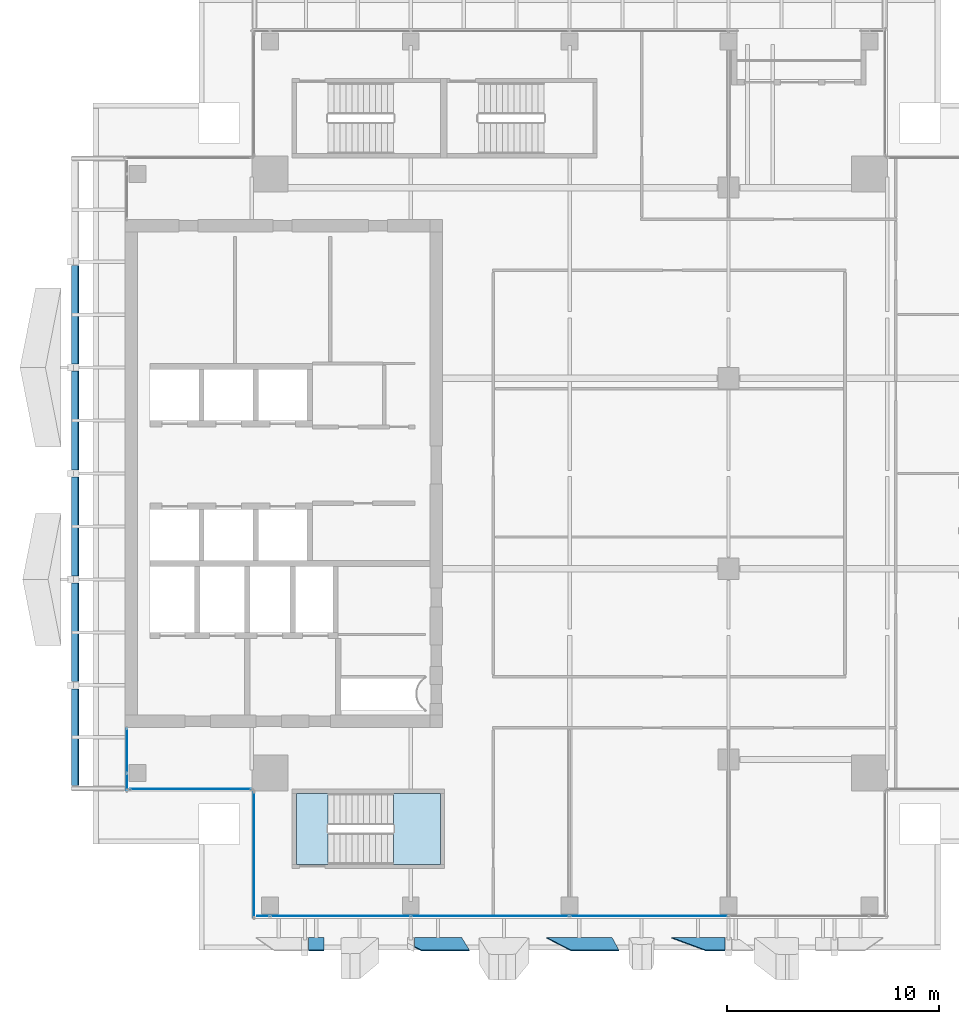
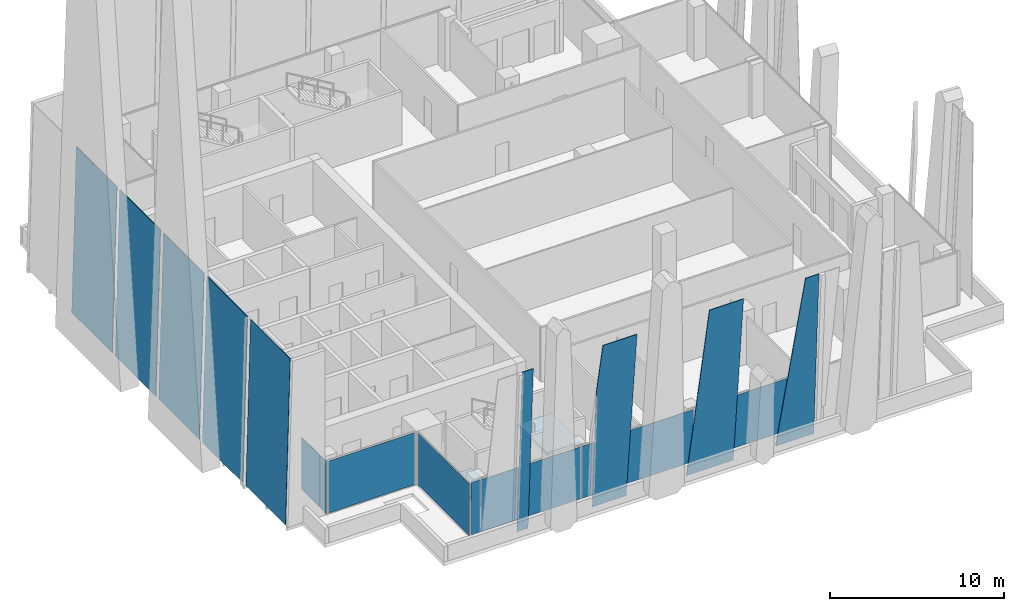
# One storey, part 20 of 32: 17 plates, 2 slabs, 5 elements without a shape of their own.
"""IFC4 building model written with IfcOpenShell, lengths in metres."""

from ifc_helpers import new_model, si_unit, direction, frame, origin, origin_2d, place, context, subcontext, project, spatial, polyline, rectangle, outline, extrude, source, transform, mapped, material, layer, layer_set, type_object, element, aggregate, save


model = new_model("IFC4")

# Units and contexts
model_context = context("Model", 3, precision=1e-05, world=origin(), true_north=direction((0.0, 1.0)))
body_context = subcontext(model_context, "Body", "Model", "MODEL_VIEW")
ifc_project = project(units=[si_unit("LENGTHUNIT", "METRE"), si_unit("AREAUNIT", "SQUARE_METRE"), si_unit("VOLUMEUNIT", "CUBIC_METRE"), si_unit("PLANEANGLEUNIT", "RADIAN"), si_unit("MASSUNIT", "GRAM", prefix="KILO")], contexts=[model_context])

# Site, building, storey
site_placement = place(None, origin())
site = spatial("IfcSite", under=ifc_project, at=site_placement, CompositionType="ELEMENT")
building_placement = place(site_placement, origin())
building = spatial("IfcBuilding", under=site, at=building_placement, Name="Khomas Fold Tower", CompositionType="ELEMENT")
storey_placement = place(building_placement, frame((0.0, 0.0, 282.199951171875)))
storey = spatial("IfcBuildingStorey", under=building, at=storey_placement, Name="L63", CompositionType="ELEMENT", Elevation=282.199951171875)

# Plates
ifc_material_1 = material(Name="Clear laminated glass", Category="glass")
ifc_layer_1 = layer(ifc_material_1, 0.0400390625)
ifc_layer_set_1 = layer_set([ifc_layer_1], Name="Clear laminated glass")
plate_type_1 = type_object("IfcPlateType", Name="SK-Clear laminated glass leaf", PredefinedType="SHEET", material=ifc_layer_set_1)
plate_1_placement = place(storey_placement, frame((15.39990234375, 5.10009765625, 0.0), z_axis=(0.0, 0.99862882819, 0.052349436554), x_axis=(-1.0, 0.0, 0.0)))
element("IfcPlate", 1, at=plate_1_placement, inside=storey, type_object=plate_type_1, Name="OUTER SKIN glass L63 SG099-3", PredefinedType="SHEET", context=body_context, shape_type="SweptSolid", body=[
    extrude(outline(polyline([(0.0, 0.0), (0.72998046875, 0.0), (0.72998046875, 11.565907674683308), (0.0, 11.565907674683308), (0.0, 0.0)])), origin(), (0.0, 0.0, -1.0), 0.0400390625),
])
plate_2_placement = place(storey_placement, frame((21.89990234375, 5.10009765625, 0.0), z_axis=(2.170668e-06, 0.998628831587, 0.052349371716), x_axis=(-0.999999999998, 2.167692e-06, 1.13633e-07)))
element("IfcPlate", 2, at=plate_2_placement, inside=storey, type_object=plate_type_1, Name="OUTER SKIN glass L63 SG100-5", PredefinedType="SHEET", context=body_context, shape_type="SweptSolid", body=[
    extrude(outline(polyline([(0.0, 0.0), (2.2299804687447464, 0.0), (2.229980468765886, 8.273550953139965), (1.8840332031189313, 11.565907674683283), (-0.37255859375075234, 11.565907674683283), (0.0, 0.0)])), origin(), (0.0, 0.0, -1.0), 0.0400390625),
])
plate_3_placement = place(storey_placement, frame((29.0, 5.10009765625, 0.0), z_axis=(0.0, 0.99862882819, 0.052349436554), x_axis=(-1.0, 0.0, 0.0)))
element("IfcPlate", 3, at=plate_3_placement, inside=storey, type_object=plate_type_1, Name="OUTER SKIN glass L63 SG101-6", PredefinedType="SHEET", context=body_context, shape_type="SweptSolid", body=[
    extrude(outline(polyline([(0.0, 0.0), (3.098876953125, 0.0), (1.927490234375, 11.565907674683308), (-0.3291015625, 11.565907674683308), (0.0, 0.0)])), origin(), (0.0, 0.0, -1.0), 0.0400390625),
])
plate_4_placement = place(storey_placement, frame((31.802001953125, 5.10009765625, 0.0), z_axis=(0.0, 0.99862882819, 0.052349436554), x_axis=(0.140075354759, -0.051833315399, 0.98878319282)))
element("IfcPlate", 4, at=plate_4_placement, inside=storey, type_object=plate_type_1, Name="OUTER SKIN glass L63 SG102-7", PredefinedType="SHEET", context=body_context, shape_type="SweptSolid", body=[
    extrude(outline(polyline([(0.0, 0.0), (11.681073173564323, 0.0), (11.805998776819628, 0.8830528590259041), (0.35412116663254617, 2.5031514796641767), (0.0, 0.0)])), origin(), (0.0, 0.0, -1.0), 0.0400390625),
])
plate_5_placement = place(storey_placement, frame((3.49169921875, 12.27001953125, 0.0009765625), z_axis=(-0.999657230839, 0.0, 0.026180543005), x_axis=(0.0, 1.0, 0.0)))
element("IfcPlate", 5, at=plate_5_placement, inside=storey, type_object=plate_type_1, Name="OUTER SKIN glass L63 W1", PredefinedType="SHEET", context=body_context, shape_type="SweptSolid", body=[
    extrude(outline(polyline([(0.0, 0.0), (4.56005859375, 0.0), (4.56005859375, -11.554009186164079), (0.0, -11.554009186164079), (0.0, 0.0)])), origin(), (0.0, 0.0, -1.0), 0.0400390625),
])
for number, where, z_axis, x_axis, name in (
    (6, (3.49169921875, 17.169921875, 0.0009765625), (-0.999657230839, 0.0, 0.026180543005), (0.0, 1.0, 0.0), "OUTER SKIN glass L63 W3"),
    (7, (3.49169921875, 22.169921875, 0.0009765625), (-0.999657230839, 0.0, 0.026180543005), (0.0, 1.0, 0.0), "OUTER SKIN glass L63 W5"),
    (8, (3.49169921875, 27.169921875, 0.0009765625), (-0.999657230839, 0.0, 0.026180543005), (0.0, 1.0, 0.0), "OUTER SKIN glass L63 W7"),
    (9, (3.49169921875, 32.169921875, 0.0009765625), (-0.999657230839, 0.0, 0.026180543005), (0.0, 1.0, 0.0), "OUTER SKIN glass L63 W9"),
):
    element("IfcPlate", number, at=place(storey_placement, frame(where, z_axis=z_axis, x_axis=x_axis)), inside=storey, type_object=plate_type_1, Name=name, PredefinedType="SHEET", context=body_context, shape_type="SweptSolid", body=[
        extrude(outline(polyline([(0.0, 0.0), (4.66015625, 0.0), (4.66015625, -11.554009186164079), (0.0, -11.554009186164079), (0.0, 0.0)])), origin(), (0.0, 0.0, -1.0), 0.0400390625),
    ])

# Curtain wall, plates
ifc_material_2 = material(Name="Aluminium framed double glazing", Category="aluminium")
curtain_wall_type = type_object("IfcCurtainWallType", Name="SK-Unitised clear-glass wall, upper floors CW3", PredefinedType="NOTDEFINED", material=ifc_material_2)
curtain_wall_1_placement = place(storey_placement, origin())
curtain_wall_1 = element("IfcCurtainWall", 10, at=curtain_wall_1_placement, inside=storey, type_object=curtain_wall_type, Name="CW3 run L63 00-0", PredefinedType="NOTDEFINED")
ifc_material_3 = material(Name="Clear double glazed unit")
ifc_layer_2 = layer(ifc_material_3, 0.028076171875)
ifc_layer_set_2 = layer_set([ifc_layer_2], Name="Clear double glazed unit")
plate_type_2 = type_object("IfcPlateType", Name="SK-Unitised clear-glass wall, upper floors glass panel CW3-P", PredefinedType="CURTAIN_PANEL", material=ifc_layer_set_2)
shared_shape_1 = source(origin(), body_context, "Body", "SweptSolid", [
    extrude(rectangle(XDim=0.574951171875, YDim=0.028076171875, at=origin_2d()), origin(), (0.0, 0.0, 1.0), 3.64990234375),
])
plate_6_placement = place(storey_placement, frame((12.53759765625, 6.10009765625, 0.0), z_axis=(0.0, 0.0, 1.0), x_axis=(1.0, 0.0, 0.0)))
plate_6 = element("IfcPlate", 11, at=plate_6_placement, type_object=plate_type_2, Name="CW3 glass panel 1", PredefinedType="CURTAIN_PANEL", context=body_context, shape_type="MappedRepresentation", body=[
    mapped(shared_shape_1, transform((0.0, 0.0, 0.0))),
])
shared_shape_2 = source(origin(), body_context, "Body", "SweptSolid", [
    extrude(rectangle(XDim=6.60009765625, YDim=0.028076171875, at=origin_2d()), origin(), (0.0, 0.0, 1.0), 3.64990234375),
])
plate_7_placement = place(storey_placement, frame((16.175048828125, 6.10009765625, 0.0), z_axis=(0.0, 0.0, 1.0), x_axis=(1.0, 0.0, 0.0)))
plate_7 = element("IfcPlate", 12, at=plate_7_placement, type_object=plate_type_2, Name="CW3 glass panel 2", PredefinedType="CURTAIN_PANEL", context=body_context, shape_type="MappedRepresentation", body=[
    mapped(shared_shape_2, transform((0.0, 0.0, 0.0))),
])
shared_shape_3 = source(origin(), body_context, "Body", "SweptSolid", [
    extrude(rectangle(XDim=7.449951171875, YDim=0.028076171875, at=origin_2d()), origin(), (0.0, 0.0, 1.0), 3.64990234375),
])
plate_8_placement = place(storey_placement, frame((23.25, 6.10009765625, 0.0), z_axis=(0.0, 0.0, 1.0), x_axis=(1.0, 0.0, 0.0)))
plate_8 = element("IfcPlate", 13, at=plate_8_placement, type_object=plate_type_2, Name="CW3 glass panel 3", PredefinedType="CURTAIN_PANEL", context=body_context, shape_type="MappedRepresentation", body=[
    mapped(shared_shape_3, transform((0.0, 0.0, 0.0))),
])
plate_9_placement = place(storey_placement, frame((30.75, 6.10009765625, 0.0), z_axis=(0.0, 0.0, 1.0), x_axis=(1.0, 0.0, 0.0)))
plate_9 = element("IfcPlate", 14, at=plate_9_placement, type_object=plate_type_2, Name="CW3 glass panel 4", PredefinedType="CURTAIN_PANEL", context=body_context, shape_type="MappedRepresentation", body=[
    mapped(shared_shape_3, transform((0.0, 0.0, 0.0))),
])
aggregate(curtain_wall_1, [plate_6, plate_7, plate_8, plate_9])

# Curtain wall, plate
curtain_wall_2_placement = place(storey_placement, origin())
curtain_wall_2 = element("IfcCurtainWall", 15, at=curtain_wall_2_placement, inside=storey, type_object=curtain_wall_type, Name="CW3 run L63 09-1", PredefinedType="NOTDEFINED")
shared_shape_4 = source(origin(), body_context, "Body", "SweptSolid", [
    extrude(rectangle(XDim=0.77490234375, YDim=0.028076171875, at=origin_2d()), origin(), (0.0, 0.0, 1.0), 3.64990234375),
])
plate_10_placement = place(storey_placement, frame((6.10009765625, 12.4375, 0.0), z_axis=(0.0, 0.0, 1.0), x_axis=(0.0, -1.0, 0.0)))
plate_10 = element("IfcPlate", 16, at=plate_10_placement, type_object=plate_type_2, Name="CW3 glass panel 2", PredefinedType="CURTAIN_PANEL", context=body_context, shape_type="MappedRepresentation", body=[
    mapped(shared_shape_4, transform((0.0, 0.0, 0.0))),
])

curtain_wall_3_placement = place(storey_placement, origin())
curtain_wall_3 = element("IfcCurtainWall", 17, at=curtain_wall_3_placement, inside=storey, type_object=curtain_wall_type, Name="CW3 corner return L63 10", PredefinedType="NOTDEFINED")
shared_shape_5 = source(origin(), body_context, "Body", "SweptSolid", [
    extrude(rectangle(XDim=5.699951171875, YDim=0.028076171875, at=origin_2d()), origin(), (0.0, 0.0, 1.0), 3.64990234375),
])
plate_11_placement = place(storey_placement, frame((9.10009765625, 12.10009765625, 0.0), z_axis=(0.0, 0.0, 1.0), x_axis=(1.0, 0.0, 0.0)))
plate_11 = element("IfcPlate", 18, at=plate_11_placement, type_object=plate_type_2, Name="CW3 glass panel 1", PredefinedType="CURTAIN_PANEL", context=body_context, shape_type="MappedRepresentation", body=[
    mapped(shared_shape_5, transform((0.0, 0.0, 0.0))),
])
aggregate(curtain_wall_3, [plate_11])

curtain_wall_4_placement = place(storey_placement, origin())
curtain_wall_4 = element("IfcCurtainWall", 19, at=curtain_wall_4_placement, inside=storey, type_object=curtain_wall_type, Name="CW3 corner return L63 11", PredefinedType="NOTDEFINED")
shared_shape_6 = source(origin(), body_context, "Body", "SweptSolid", [
    extrude(rectangle(XDim=5.89990234375, YDim=0.028076171875, at=origin_2d()), origin(), (0.0, 0.0, 1.0), 3.64990234375),
])
plate_12_placement = place(storey_placement, frame((12.10009765625, 9.0, 0.0), z_axis=(0.0, 0.0, 1.0), x_axis=(0.0, -1.0, 0.0)))
plate_12 = element("IfcPlate", 20, at=plate_12_placement, type_object=plate_type_2, Name="CW3 glass panel 1", PredefinedType="CURTAIN_PANEL", context=body_context, shape_type="MappedRepresentation", body=[
    mapped(shared_shape_6, transform((0.0, 0.0, 0.0))),
])
aggregate(curtain_wall_4, [plate_12])

# Plate
shared_shape_7 = source(origin(), body_context, "Body", "SweptSolid", [
    extrude(rectangle(XDim=2.074951171875, YDim=0.028076171875, at=origin_2d()), origin(), (0.0, 0.0, 1.0), 3.64990234375),
])
plate_13_placement = place(storey_placement, frame((6.10009765625, 13.91259765625, 0.0), z_axis=(0.0, 0.0, 1.0), x_axis=(0.0, -1.0, 0.0)))
plate_13 = element("IfcPlate", 21, at=plate_13_placement, type_object=plate_type_2, Name="CW3 glass panel 1", PredefinedType="CURTAIN_PANEL", context=body_context, shape_type="MappedRepresentation", body=[
    mapped(shared_shape_7, transform((0.0, 0.0, 0.0))),
])

aggregate(curtain_wall_2, [plate_13, plate_10])

# Stair, slab
ifc_material_4 = material(Name="Concrete C40/50", Category="concrete")
stair_type = type_object("IfcStairType", Name="Stair ST2", PredefinedType="HALF_TURN_STAIR", material=ifc_material_4)
stair_placement = place(storey_placement, origin())
stair = element("IfcStair", 22, at=stair_placement, inside=storey, type_object=stair_type, Name="L63 ST2", PredefinedType="HALF_TURN_STAIR")
ifc_material_5 = material(Name="Concrete C40/50", Category="concrete")
ifc_layer_3 = layer(ifc_material_5, 0.199951171875)
ifc_layer_set_3 = layer_set([ifc_layer_3], Name="Concrete C40/50")
slab_type_1 = type_object("IfcSlabType", Name="Stair landing 200", PredefinedType="LANDING", material=ifc_layer_set_3)
shared_shape_8 = source(origin(), body_context, "Body", "SweptSolid", [
    extrude(outline(polyline([(18.679931640625, 8.550048828125), (20.89990234375, 8.550048828125), (20.89990234375, 11.89990234375), (18.679931640625, 11.89990234375), (18.679931640625, 8.550048828125)])), origin(), (0.0, 0.0, 1.0), 0.199951171875),
])
slab_1_placement = place(storey_placement, frame((0.0, 0.0, 1.800048828125)))
slab_1 = element("IfcSlab", 23, at=slab_1_placement, type_object=slab_type_1, Name="ST2 landing 1", PredefinedType="LANDING", context=body_context, shape_type="MappedRepresentation", body=[
    mapped(shared_shape_8, transform((0.0, 0.0, 0.0))),
])
aggregate(stair, [slab_1])

# Slab
ifc_material_6 = material(Name="Concrete C40/50", Category="concrete")
ifc_layer_4 = layer(ifc_material_6, 0.25)
ifc_layer_set_4 = layer_set([ifc_layer_4], Name="Concrete C40/50")
slab_type_2 = type_object("IfcSlabType", Name="Stair floor landing 250", PredefinedType="LANDING", material=ifc_layer_set_4)
shared_shape_9 = source(origin(), body_context, "Body", "SweptSolid", [
    extrude(outline(polyline([(14.10009765625, 8.550048828125), (14.10009765625, 11.89990234375), (15.60009765625, 11.89990234375), (15.60009765625, 8.550048828125), (14.10009765625, 8.550048828125)])), origin(), (0.0, 0.0, 1.0), 0.25),
])
slab_2_placement = place(storey_placement, frame((0.0, 0.0, -0.25)))
element("IfcSlab", 24, at=slab_2_placement, inside=storey, type_object=slab_type_2, Name="ST2 floor landing", PredefinedType="LANDING", context=body_context, shape_type="MappedRepresentation", body=[
    mapped(shared_shape_9, transform((0.0, 0.0, 0.0))),
])

save(model, "model.ifc")
